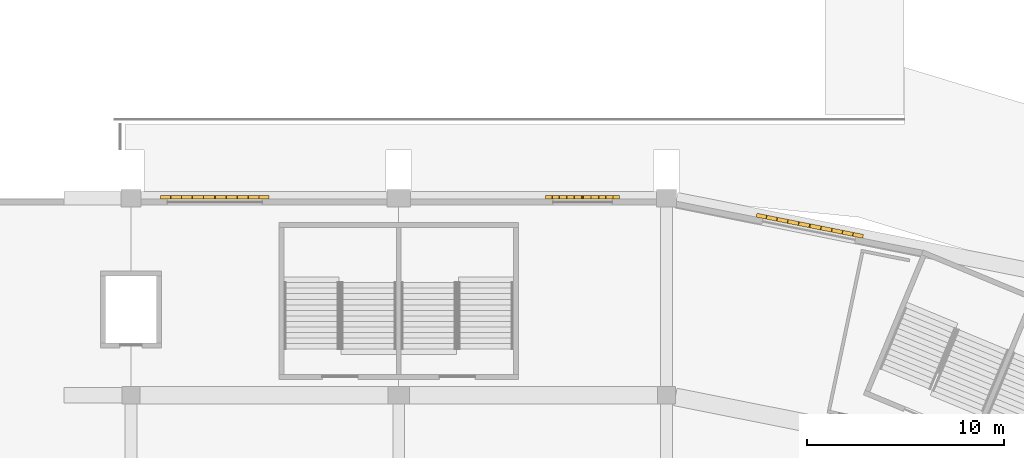
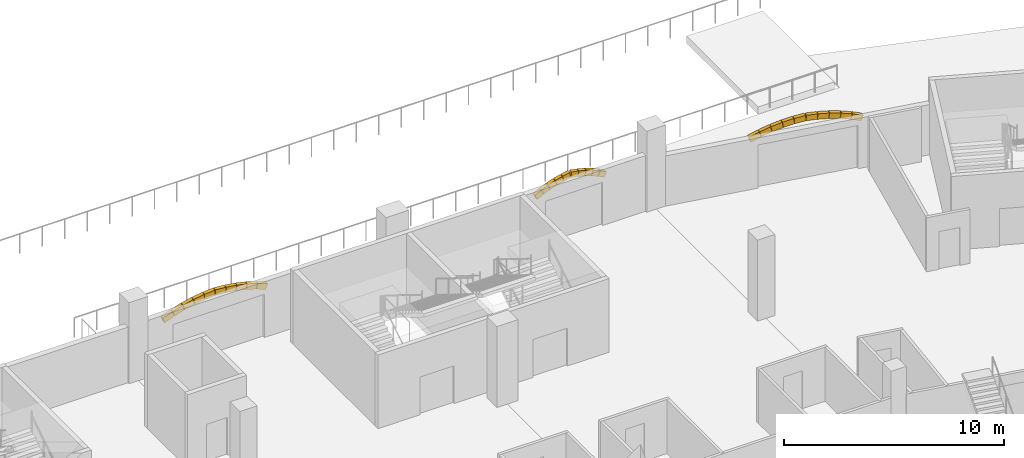
# One storey, part 174 of 175: 30 coverings.
"""IFC4 building model written with IfcOpenShell, lengths in metres."""

from ifc_helpers import new_model, si_unit, direction, frame, origin, origin_2d, place, context, subcontext, project, spatial, rectangle, extrude, material, material_profile, profile_set, type_object, element, save


model = new_model("IFC4")

# Units and contexts
model_context = context("Model", 3, precision=1e-05, world=origin(), true_north=direction((0.0, 1.0)))
body_context = subcontext(model_context, "Body", "Model", "MODEL_VIEW")
ifc_project = project(units=[si_unit("LENGTHUNIT", "METRE"), si_unit("AREAUNIT", "SQUARE_METRE"), si_unit("VOLUMEUNIT", "CUBIC_METRE"), si_unit("PLANEANGLEUNIT", "RADIAN"), si_unit("MASSUNIT", "GRAM", prefix="KILO")], contexts=[model_context])

# Site, building, storey
site_placement = place(None, origin())
site = spatial("IfcSite", under=ifc_project, at=site_placement, CompositionType="ELEMENT")
building_placement = place(site_placement, origin())
building = spatial("IfcBuilding", under=site, at=building_placement, Name="Ogive Plaza Stadium", CompositionType="ELEMENT")
storey_placement = place(building_placement, origin())
storey = spatial("IfcBuildingStorey", under=building, at=storey_placement, Name="L00", CompositionType="ELEMENT", Elevation=0.0)

# Coverings
ifc_material = material(Name="Cast stone (reconstituted limestone)", Category="masonry")
ifc_material_profile = material_profile(ifc_material, rectangle(XDim=0.199951171875, YDim=0.300048828125, at=origin_2d()), Name="Cast stone 200x300")
ifc_profile_set = profile_set([ifc_material_profile], Name="Cast stone (reconstituted limestone)")
covering_type = type_object("IfcCoveringType", Name="Portal arch rib 200x300", PredefinedType="MOLDING", material=ifc_profile_set)
for number, where, z_axis, x_axis, name in (
    (1, (8.358154296875, 102.550048828125, 2.539794921875), (0.932398184034, 0.0, 0.361432741199), (0.0, 1.0, 0.0), "PORTAL ARCH B35 1"),
    (2, (8.878173828125, 102.550048828125, 2.740966796875), (0.956337693461, 0.0, 0.29226394931), (0.0, 1.0, 0.0), "PORTAL ARCH B35 2"),
    (3, (9.411376953125, 102.550048828125, 2.9033203125), (0.975242447538, 0.0, 0.221138347014), (0.0, 1.0, 0.0), "PORTAL ARCH B35 3"),
    (4, (9.955078125, 102.550048828125, 3.026123046875), (0.988933074819, 0.0, 0.148362304944), (0.0, 1.0, 0.0), "PORTAL ARCH B35 4"),
    (5, (10.50634765625, 102.550048828125, 3.1083984375), (0.997145746443, 0.0, 0.075500730801), (0.0, 1.0, 0.0), "PORTAL ARCH B35 5"),
    (6, (11.07373046875, 102.550048828125, 3.149658203125), (0.997145746443, 0.0, -0.075500730801), (0.0, 1.0, 0.0), "PORTAL ARCH B35 6"),
    (7, (11.629638671875, 102.550048828125, 3.107177734375), (0.988933074819, 0.0, -0.148362304944), (0.0, 1.0, 0.0), "PORTAL ARCH B35 7"),
    (8, (12.1806640625, 102.550048828125, 3.024169921875), (0.975242447538, 0.0, -0.221138347014), (0.0, 1.0, 0.0), "PORTAL ARCH B35 8"),
    (9, (12.724365234375, 102.550048828125, 2.900634765625), (0.956337693461, 0.0, -0.29226394931), (0.0, 1.0, 0.0), "PORTAL ARCH B35 9"),
    (10, (13.25732421875, 102.550048828125, 2.7373046875), (0.932398184034, 0.0, -0.361432741199), (0.0, 1.0, 0.0), "PORTAL ARCH B35 10"),
):
    element("IfcCovering", number, at=place(storey_placement, frame(where, z_axis=z_axis, x_axis=x_axis)), inside=storey, type_object=covering_type, Name=name, PredefinedType="MOLDING", context=body_context, shape_type="SweptSolid", body=[
        extrude(rectangle(XDim=0.199951171875, YDim=0.300048828125, at=origin_2d()), origin(), (0.0, 0.0, 1.0), 0.54638671875),
    ])
covering_1_placement = place(storey_placement, frame((27.91796875, 102.550048828125, 2.532958984375), z_axis=(0.885870063545, 0.0, 0.463933433279), x_axis=(0.0, 1.0, 0.0)))
element("IfcCovering", 11, at=covering_1_placement, inside=storey, type_object=covering_type, Name="PORTAL ARCH B36 1", PredefinedType="MOLDING", context=body_context, shape_type="SweptSolid", body=[
    extrude(rectangle(XDim=0.199951171875, YDim=0.300048828125, at=origin_2d()), origin(), (0.0, 0.0, 1.0), 0.3720703125),
])
covering_2_placement = place(storey_placement, frame((28.2578125, 102.550048828125, 2.71044921875), z_axis=(0.918771491846, 0.0, 0.394789748816), x_axis=(0.0, 1.0, 0.0)))
element("IfcCovering", 12, at=covering_2_placement, inside=storey, type_object=covering_type, Name="PORTAL ARCH B36 2", PredefinedType="MOLDING", context=body_context, shape_type="SweptSolid", body=[
    extrude(rectangle(XDim=0.199951171875, YDim=0.300048828125, at=origin_2d()), origin(), (0.0, 0.0, 1.0), 0.372314453125),
])
for number, where, z_axis, x_axis, name in (
    (13, (28.6103515625, 102.550048828125, 2.861572265625), (0.946026425691, 0.0, 0.324089496735), (0.0, 1.0, 0.0), "PORTAL ARCH B36 3"),
    (14, (28.973388671875, 102.550048828125, 2.985595703125), (0.96790236306, 0.0, 0.2513265119), (0.0, 1.0, 0.0), "PORTAL ARCH B36 4"),
    (15, (29.3447265625, 102.550048828125, 3.08154296875), (0.984068736563, 0.0, 0.177788418406), (0.0, 1.0, 0.0), "PORTAL ARCH B36 5"),
    (16, (29.76416015625, 102.550048828125, 3.147705078125), (0.984068736563, 0.0, -0.177788418406), (0.0, 1.0, 0.0), "PORTAL ARCH B36 6"),
    (17, (30.1416015625, 102.550048828125, 3.0791015625), (0.96790236306, 0.0, -0.2513265119), (0.0, 1.0, 0.0), "PORTAL ARCH B36 7"),
    (18, (30.512451171875, 102.550048828125, 2.982177734375), (0.946026425691, 0.0, -0.324089496735), (0.0, 1.0, 0.0), "PORTAL ARCH B36 8"),
    (19, (30.875244140625, 102.550048828125, 2.857421875), (0.91866918758, 0.0, -0.395027750659), (0.0, 1.0, 0.0), "PORTAL ARCH B36 9"),
):
    element("IfcCovering", number, at=place(storey_placement, frame(where, z_axis=z_axis, x_axis=x_axis)), inside=storey, type_object=covering_type, Name=name, PredefinedType="MOLDING", context=body_context, shape_type="SweptSolid", body=[
        extrude(rectangle(XDim=0.199951171875, YDim=0.300048828125, at=origin_2d()), origin(), (0.0, 0.0, 1.0), 0.3720703125),
    ])
covering_3_placement = place(storey_placement, frame((31.227294921875, 102.550048828125, 2.70556640625), z_axis=(0.886011177193, 0.0, -0.463663880293), x_axis=(0.0, 1.0, 0.0)))
element("IfcCovering", 20, at=covering_3_placement, inside=storey, type_object=covering_type, Name="PORTAL ARCH B36 10", PredefinedType="MOLDING", context=body_context, shape_type="SweptSolid", body=[
    extrude(rectangle(XDim=0.199951171875, YDim=0.300048828125, at=origin_2d()), origin(), (0.0, 0.0, 1.0), 0.372314453125),
])
covering_4_placement = place(storey_placement, frame((38.627197265625, 101.630615234375, 2.539794921875), z_axis=(0.914428042897, -0.181902352619, 0.361570032602), x_axis=(0.195101986683, 0.980782960085, 0.0)))
element("IfcCovering", 21, at=covering_4_placement, inside=storey, type_object=covering_type, Name="PORTAL ARCH B37 1", PredefinedType="MOLDING", context=body_context, shape_type="SweptSolid", body=[
    extrude(rectangle(XDim=0.199951171875, YDim=0.300048828125, at=origin_2d()), origin(), (0.0, 0.0, 1.0), 0.546142578125),
])
covering_5_placement = place(storey_placement, frame((39.136962890625, 101.529052734375, 2.740966796875), z_axis=(0.938060562207, -0.186272025924, 0.292138860802), x_axis=(0.194768629667, 0.98084921415, 0.0)))
element("IfcCovering", 22, at=covering_5_placement, inside=storey, type_object=covering_type, Name="PORTAL ARCH B37 2", PredefinedType="MOLDING", context=body_context, shape_type="SweptSolid", body=[
    extrude(rectangle(XDim=0.199951171875, YDim=0.300048828125, at=origin_2d()), origin(), (0.0, 0.0, 1.0), 0.546630859375),
])
covering_6_placement = place(storey_placement, frame((39.659912109375, 101.425048828125, 2.9033203125), z_axis=(0.95657303227, -0.189884884967, 0.221160042491), x_axis=(0.194706294166, 0.98086159014, 0.0)))
element("IfcCovering", 23, at=covering_6_placement, inside=storey, type_object=covering_type, Name="PORTAL ARCH B37 3", PredefinedType="MOLDING", context=body_context, shape_type="SweptSolid", body=[
    extrude(rectangle(XDim=0.199951171875, YDim=0.300048828125, at=origin_2d()), origin(), (0.0, 0.0, 1.0), 0.54638671875),
])
covering_7_placement = place(storey_placement, frame((40.193359375, 101.319091796875, 3.026123046875), z_axis=(0.969896166051, -0.193085319693, 0.148389643838), x_axis=(0.195246903436, 0.980754121428, 0.0)))
element("IfcCovering", 24, at=covering_7_placement, inside=storey, type_object=covering_type, Name="PORTAL ARCH B37 4", PredefinedType="MOLDING", context=body_context, shape_type="SweptSolid", body=[
    extrude(rectangle(XDim=0.199951171875, YDim=0.300048828125, at=origin_2d()), origin(), (0.0, 0.0, 1.0), 0.546142578125),
])
for number, where, z_axis, x_axis, name in (
    (25, (40.73388671875, 101.21142578125, 3.1083984375), (0.97802119736, -0.194353230174, 0.075507346895), (0.194909649379, 0.980821201126, 0.0), "PORTAL ARCH B37 5"),
    (26, (41.29052734375, 101.100830078125, 3.149658203125), (0.97802119736, -0.194353230174, -0.075507346895), (0.194909649379, 0.980821201126, 0.0), "PORTAL ARCH B37 6"),
):
    element("IfcCovering", number, at=place(storey_placement, frame(where, z_axis=z_axis, x_axis=x_axis)), inside=storey, type_object=covering_type, Name=name, PredefinedType="MOLDING", context=body_context, shape_type="SweptSolid", body=[
        extrude(rectangle(XDim=0.199951171875, YDim=0.300048828125, at=origin_2d()), origin(), (0.0, 0.0, 1.0), 0.54638671875),
    ])
covering_8_placement = place(storey_placement, frame((41.835693359375, 100.992431640625, 3.107177734375), z_axis=(0.969896166051, -0.193085319693, -0.148389643838), x_axis=(0.195246903436, 0.980754121428, 0.0)))
element("IfcCovering", 27, at=covering_8_placement, inside=storey, type_object=covering_type, Name="PORTAL ARCH B37 7", PredefinedType="MOLDING", context=body_context, shape_type="SweptSolid", body=[
    extrude(rectangle(XDim=0.199951171875, YDim=0.300048828125, at=origin_2d()), origin(), (0.0, 0.0, 1.0), 0.546142578125),
])
for number, where, z_axis, x_axis, name in (
    (28, (42.376220703125, 100.884765625, 3.024169921875), (0.95657303227, -0.189884884967, -0.221160042491), (0.194706294166, 0.98086159014, 0.0), "PORTAL ARCH B37 8"),
    (29, (42.909423828125, 100.77880859375, 2.900634765625), (0.937928708137, -0.186781419724, -0.292236958133), (0.195307379443, 0.980742080027, 0.0), "PORTAL ARCH B37 9"),
):
    element("IfcCovering", number, at=place(storey_placement, frame(where, z_axis=z_axis, x_axis=x_axis)), inside=storey, type_object=covering_type, Name=name, PredefinedType="MOLDING", context=body_context, shape_type="SweptSolid", body=[
        extrude(rectangle(XDim=0.199951171875, YDim=0.300048828125, at=origin_2d()), origin(), (0.0, 0.0, 1.0), 0.54638671875),
    ])
covering_9_placement = place(storey_placement, frame((43.43212890625, 100.6748046875, 2.7373046875), z_axis=(0.914428042897, -0.181902352619, -0.361570032602), x_axis=(0.195101986683, 0.980782960085, 0.0)))
element("IfcCovering", 30, at=covering_9_placement, inside=storey, type_object=covering_type, Name="PORTAL ARCH B37 10", PredefinedType="MOLDING", context=body_context, shape_type="SweptSolid", body=[
    extrude(rectangle(XDim=0.199951171875, YDim=0.300048828125, at=origin_2d()), origin(), (0.0, 0.0, 1.0), 0.546142578125),
])

save(model, "model.ifc")
